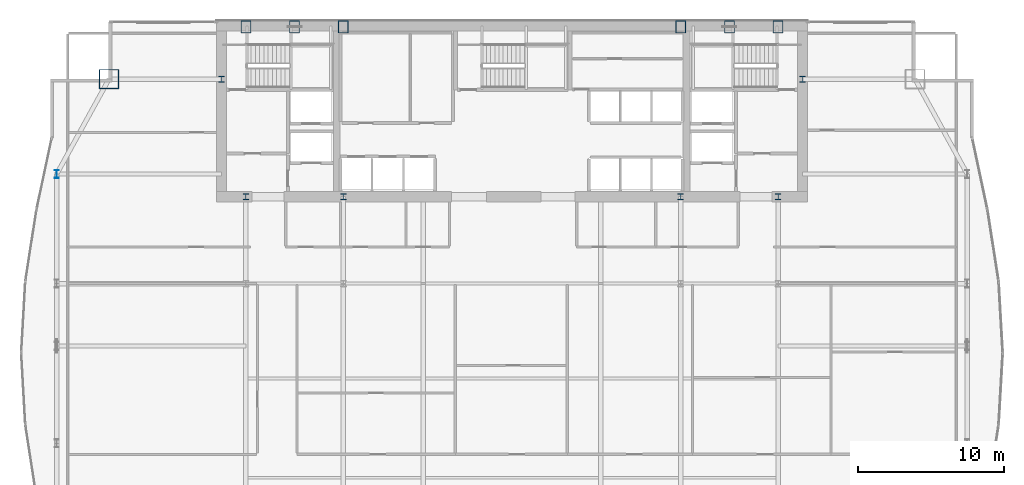
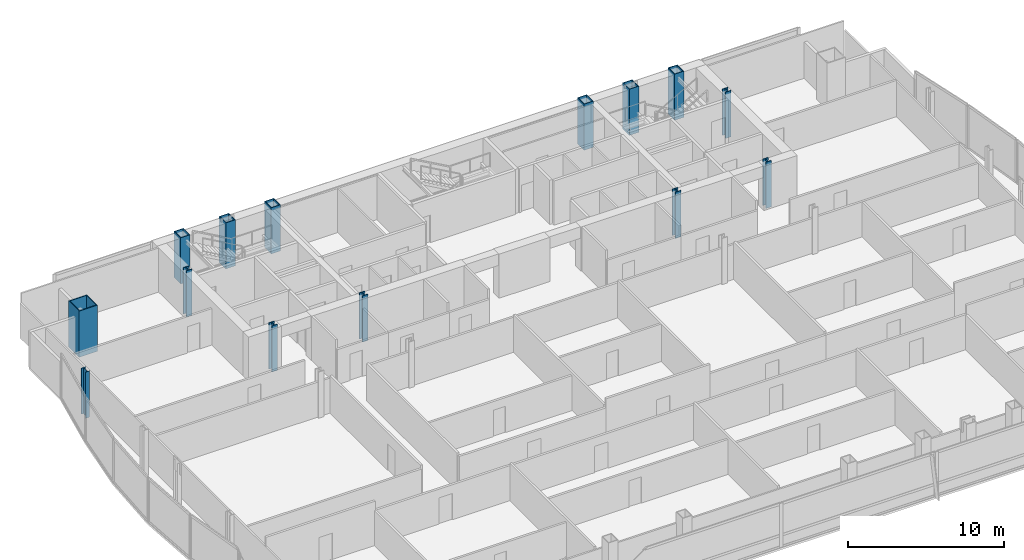
# One storey, part 3 of 29: 14 columns.
"""IFC4 building model written with IfcOpenShell, lengths in metres."""

from ifc_helpers import new_model, si_unit, direction, frame, origin, origin_2d, place, context, subcontext, project, spatial, hollow_rectangle, i_section, extrude, material, material_profile, profile_set, type_object, element, save


model = new_model("IFC4")

# Units and contexts
model_context = context("Model", 3, precision=1e-05, world=origin(), true_north=direction((0.0, 1.0)))
body_context = subcontext(model_context, "Body", "Model", "MODEL_VIEW")
ifc_project = project(units=[si_unit("LENGTHUNIT", "METRE"), si_unit("AREAUNIT", "SQUARE_METRE"), si_unit("VOLUMEUNIT", "CUBIC_METRE"), si_unit("PLANEANGLEUNIT", "RADIAN"), si_unit("MASSUNIT", "GRAM", prefix="KILO")], contexts=[model_context])

# Site, building, storey
site_placement = place(None, origin())
site = spatial("IfcSite", under=ifc_project, at=site_placement, CompositionType="ELEMENT")
building_placement = place(site_placement, origin())
building = spatial("IfcBuilding", under=site, at=building_placement, Name="Khoronbel Lancet Exchange", CompositionType="ELEMENT")
storey_placement = place(building_placement, frame((0.0, 0.0, 165.0)))
storey = spatial("IfcBuildingStorey", under=building, at=storey_placement, Name="L41", CompositionType="ELEMENT", Elevation=165.0)

# Columns
ifc_material_1 = material(Name="Steel S460", Category="steel")
ifc_material_profile_1 = material_profile(ifc_material_1, hollow_rectangle(XDim=0.699951171875, YDim=0.85009765625, WallThickness=0.050048828125, at=origin_2d()), Name="BOX 850x700x50")
ifc_profile_set_1 = profile_set([ifc_material_profile_1], Name="Steel S460")
column_type_1 = type_object("IfcColumnType", Name="COL-EC2", PredefinedType="COLUMN", material=ifc_profile_set_1)
for number, where, z_axis, x_axis, name in (
    (1, (18.22509765625, 53.280029296875, 0.0), (0.0, 0.0, 1.0), (1.0, 0.0, 0.0), "Structural column NC-W1 L41"),
    (2, (21.5625, 53.280029296875, 0.0), (0.0, 0.0, 1.0), (1.0, 0.0, 0.0), "Structural column NC-WM L41"),
    (3, (24.89990234375, 53.280029296875, 0.0), (0.0, 0.0, 1.0), (1.0, 0.0, 0.0), "Structural column NC-W2 L41"),
    (4, (48.0, 53.280029296875, 0.0), (0.0, 0.0, 1.0), (1.0, 0.0, 0.0), "Structural column NC-E1 L41"),
    (5, (51.33740234375, 53.280029296875, 0.0), (0.0, 0.0, 1.0), (1.0, 0.0, 0.0), "Structural column NC-EM L41"),
    (6, (54.675048828125, 53.280029296875, 0.0), (0.0, 0.0, 1.0), (1.0, 0.0, 0.0), "Structural column NC-E2 L41"),
):
    element("IfcColumn", number, at=place(storey_placement, frame(where, z_axis=z_axis, x_axis=x_axis)), inside=storey, type_object=column_type_1, Name=name, PredefinedType="COLUMN", context=body_context, shape_type="SweptSolid", body=[
        extrude(hollow_rectangle(XDim=0.699951171875, YDim=0.85009765625, WallThickness=0.050048828125, at=origin_2d()), origin(), (0.0, 0.0, 1.0), 3.60009765625),
    ])
ifc_material_profile_2 = material_profile(ifc_material_1, i_section(OverallWidth=0.416015625, OverallDepth=0.446044921875, WebThickness=0.0390625, FlangeThickness=0.062744140625, at=origin_2d()), Name="HD 400x509")
ifc_profile_set_2 = profile_set([ifc_material_profile_2], Name="Steel S460")
column_type_2 = type_object("IfcColumnType", Name="COL-IC2", PredefinedType="COLUMN", material=ifc_profile_set_2)
for number, where, z_axis, x_axis, name in (
    (7, (16.550048828125, 49.699951171875, 0.0), (0.0, 0.0, 1.0), (1.0, 0.0, 0.0), "Core-flank plumb transfer column CFW L41"),
    (8, (56.35009765625, 49.699951171875, 0.0), (0.0, 0.0, 1.0), (1.0, 0.0, 0.0), "Core-flank plumb transfer column CFE L41"),
    (9, (18.22509765625, 41.64990234375, 0.0), (0.0, 0.0, 1.0), (1.0, 0.0, 0.0), "Core-embedded steel column CTC1 L41"),
    (10, (24.89990234375, 41.64990234375, 0.0), (0.0, 0.0, 1.0), (1.0, 0.0, 0.0), "Core-embedded steel column CTC2 L41"),
    (11, (48.0, 41.64990234375, 0.0), (0.0, 0.0, 1.0), (1.0, 0.0, 0.0), "Core-embedded steel column CTC3 L41"),
    (12, (54.675048828125, 41.64990234375, 0.0), (0.0, 0.0, 1.0), (1.0, 0.0, 0.0), "Core-embedded steel column CTC4 L41"),
):
    element("IfcColumn", number, at=place(storey_placement, frame(where, z_axis=z_axis, x_axis=x_axis)), inside=storey, type_object=column_type_2, Name=name, PredefinedType="COLUMN", context=body_context, shape_type="SweptSolid", body=[
        extrude(i_section(OverallWidth=0.416015625, OverallDepth=0.446044921875, WebThickness=0.0390625, FlangeThickness=0.062744140625, at=origin_2d()), origin(), (0.0, 0.0, 1.0), 3.60009765625),
    ])
ifc_material_2 = material(Name="Steel S355", Category="steel")
ifc_material_profile_3 = material_profile(ifc_material_2, i_section(OverallWidth=0.300048828125, OverallDepth=0.550048828125, WebThickness=0.014892578125, FlangeThickness=0.029052734375, at=origin_2d()), Name="HEB 550")
ifc_profile_set_3 = profile_set([ifc_material_profile_3], Name="Steel S355")
column_type_3 = type_object("IfcColumnType", Name="COL-LC1", PredefinedType="COLUMN", material=ifc_profile_set_3)
column_1_placement = place(storey_placement, frame((5.27001953125, 43.199951171875, 0.0), z_axis=(0.0, 0.0, 1.0), x_axis=(1.0, 0.0, 0.0)))
element("IfcColumn", 13, at=column_1_placement, inside=storey, type_object=column_type_3, Name="Structural column WC-4 L41", PredefinedType="COLUMN", context=body_context, shape_type="SweptSolid", body=[
    extrude(i_section(OverallWidth=0.300048828125, OverallDepth=0.550048828125, WebThickness=0.014892578125, FlangeThickness=0.029052734375, at=origin_2d()), origin(), (0.0, 0.0, 1.0), 3.60009765625),
])
ifc_material_profile_4 = material_profile(ifc_material_1, hollow_rectangle(XDim=1.35009765625, YDim=1.35009765625, WallThickness=0.06494140625, at=origin_2d()), Name="BOX 1350x1350x65")
ifc_profile_set_4 = profile_set([ifc_material_profile_4], Name="Steel S460")
column_type_4 = type_object("IfcColumnType", Name="COL-MC4", PredefinedType="COLUMN", material=ifc_profile_set_4)
column_2_placement = place(storey_placement, frame((8.85009765625, 49.699951171875, 0.0), z_axis=(0.0, 0.0, 1.0), x_axis=(1.0, 0.0, 0.0)))
element("IfcColumn", 14, at=column_2_placement, inside=storey, type_object=column_type_4, Name="Structural column MC-NW L41", PredefinedType="COLUMN", context=body_context, shape_type="SweptSolid", body=[
    extrude(hollow_rectangle(XDim=1.35009765625, YDim=1.35009765625, WallThickness=0.06494140625, at=origin_2d()), origin(), (0.0, 0.0, 1.0), 3.60009765625),
])

save(model, "model.ifc")
